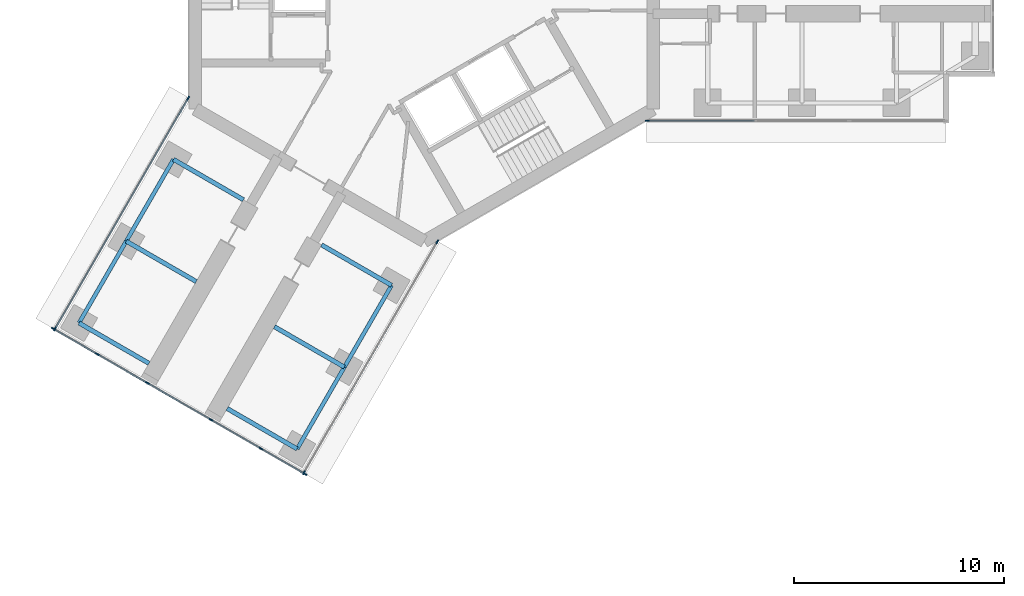
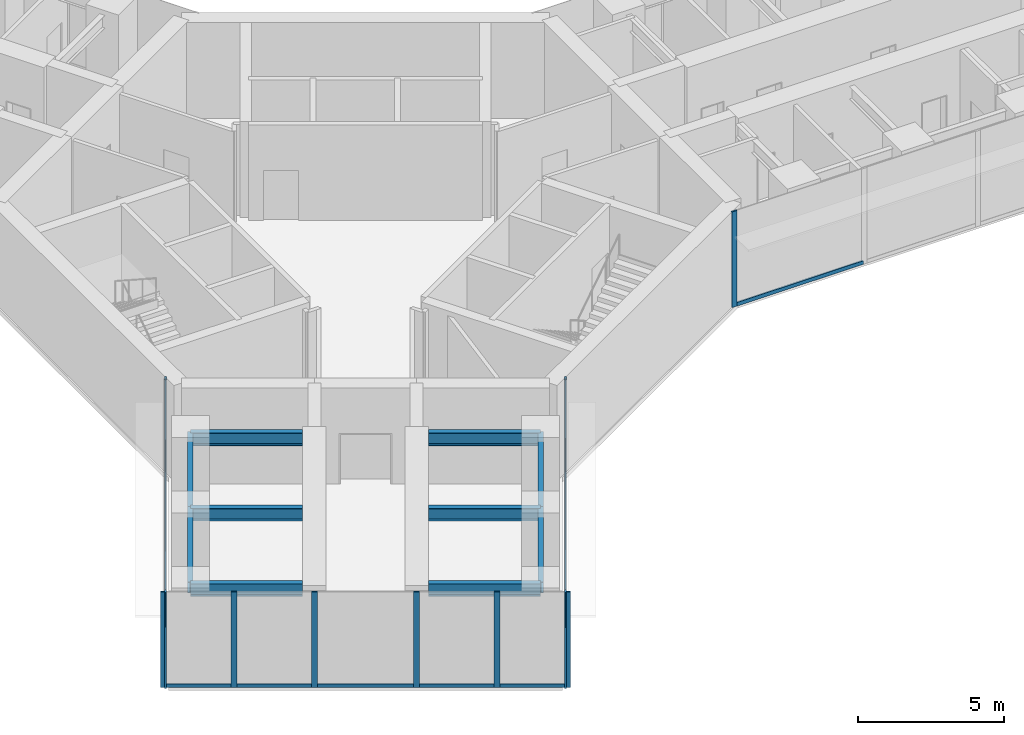
# One storey, part 2 of 22: 19 members, 10 beams, 4 elements without a shape of their own.
"""IFC4 building model written with IfcOpenShell, lengths in metres."""

import ifcopenshell
import ifcopenshell.guid

model = None  # the IFC model being written
_history = None  # IfcOwnerHistory: only IFC2X3 demands one
_inside = {}  # id of a spatial element -> (the spatial element, [elements in it])
_under = {}  # id of a project, library or spatial element -> (it, [spatial elements below it])
_declared = {}  # id of a project -> (the project, [libraries it declares])
_typed = {}  # id of a type object -> (the type object, [elements of that type])
_made_of = {}  # id of a material, layer set ... -> (it, [elements and type objects made of it])


def new_model(schema):
    """Start an empty IFC model of exactly this schema.

    Asked for "IFC4X3", IfcOpenShell would pick the latest addendum, in which some entities
    have other attributes; the version numbers below select the first issue.
    IFC2X3 requires an IfcOwnerHistory on every rooted entity: one is made here for all.
    """
    global model, _history
    if schema == "IFC4X3":
        model = ifcopenshell.file(schema_version=(4, 3, 0, 0))
    else:
        model = ifcopenshell.file(schema=schema)
    _inside.clear()
    _under.clear()
    _declared.clear()
    _typed.clear()
    _made_of.clear()
    _history = None
    if model.schema == "IFC2X3":
        org = make("IfcOrganization", Name="unknown")
        user = make(
            "IfcPersonAndOrganization",
            ThePerson=make("IfcPerson", FamilyName="unknown"),
            TheOrganization=org,
        )
        app = make(
            "IfcApplication",
            ApplicationDeveloper=org,
            Version="unknown",
            ApplicationFullName="unknown",
            ApplicationIdentifier="unknown",
        )
        _history = make(
            "IfcOwnerHistory",
            OwningUser=user,
            OwningApplication=app,
            ChangeAction="ADDED",
            CreationDate=0,
        )
    return model


def make(cls, **values):
    """One entity of the class cls with the attributes given. An attribute that is None is left unset."""
    return model.create_entity(
        cls, **{name: value for name, value in values.items() if value is not None}
    )


def rooted(cls, **values):
    """An entity with a GlobalId (a new one), such as an element, a storey or a relation."""
    return make(cls, GlobalId=ifcopenshell.guid.new(), OwnerHistory=_history, **values)


def si_unit(unit_type, name, prefix=None):
    """IfcSIUnit, for example si_unit("LENGTHUNIT", "METRE", prefix="MILLI")."""
    return make("IfcSIUnit", UnitType=unit_type, Prefix=prefix, Name=name)


def assignment(units):
    """IfcUnitAssignment: the units of a project."""
    return None if units is None else make("IfcUnitAssignment", Units=units)


def point(xyz):
    """IfcCartesianPoint."""
    return None if xyz is None else make("IfcCartesianPoint", Coordinates=xyz)


def direction(xyz):
    """IfcDirection."""
    return None if xyz is None else make("IfcDirection", DirectionRatios=xyz)


def frame(location, z_axis=None, x_axis=None):
    """IfcAxis2Placement3D, a coordinate frame: its origin and axes. An axis left out is left unset."""
    return make(
        "IfcAxis2Placement3D",
        Location=point(location),
        Axis=direction(z_axis),
        RefDirection=direction(x_axis),
    )


def frame_2d(location, x_axis=None):
    """IfcAxis2Placement2D, a coordinate frame in the plane: its origin and x axis."""
    return make(
        "IfcAxis2Placement2D", Location=point(location), RefDirection=direction(x_axis)
    )


def origin():
    """The frame at (0, 0, 0) with its axes left unset."""
    return frame((0.0, 0.0, 0.0))


def origin_2d():
    """The frame at (0, 0) in the plane with its x axis left unset."""
    return frame_2d((0.0, 0.0))


def place(relative_to, where):
    """IfcLocalPlacement: puts the frame where relative to a parent placement (None: the world)."""
    return make(
        "IfcLocalPlacement", PlacementRelTo=relative_to, RelativePlacement=where
    )


def context(
    kind, dimensions, precision=None, world=None, true_north=None, identifier=None
):
    """IfcGeometricRepresentationContext, for example the 3D "Model" context."""
    return make(
        "IfcGeometricRepresentationContext",
        ContextIdentifier=identifier,
        ContextType=kind,
        CoordinateSpaceDimension=dimensions,
        Precision=precision,
        WorldCoordinateSystem=world,
        TrueNorth=true_north,
    )


def subcontext(parent, identifier, kind, view, scale=None):
    """IfcGeometricRepresentationSubContext, for example "Body" below "Model"."""
    return make(
        "IfcGeometricRepresentationSubContext",
        ContextIdentifier=identifier,
        ContextType=kind,
        ParentContext=parent,
        TargetScale=scale,
        TargetView=view,
    )


def project(units=None, contexts=None):
    """IfcProject with its units and contexts."""
    return rooted(
        "IfcProject",
        Name="project",
        RepresentationContexts=contexts,
        UnitsInContext=assignment(units),
    )


def spatial(cls, under=None, at=None, **own):
    """A site, building, storey or space (cls), placed at a placement, below another one or the project."""
    s = rooted(cls, ObjectPlacement=at, **own)
    if under is not None:
        _under.setdefault(under.id(), (under, []))[1].append(s)
    return s


def profile(cls, at=None, kind="AREA", **sizes):
    """A parametric profile (cls). Its sizes go by their IFC names, for example OverallWidth=200.0."""
    return make(cls, ProfileType=kind, Position=at, **sizes)


def rectangle(**sizes):
    """IfcRectangleProfileDef."""
    return profile("IfcRectangleProfileDef", **sizes)


def i_section(**sizes):
    """IfcIShapeProfileDef."""
    return profile("IfcIShapeProfileDef", **sizes)


def extrude(swept, where, along, depth):
    """IfcExtrudedAreaSolid: the profile swept, set in the frame where, extruded along a direction by depth."""
    return make(
        "IfcExtrudedAreaSolid",
        SweptArea=swept,
        Position=where,
        ExtrudedDirection=direction(along),
        Depth=depth,
    )


def shape(context_of_items, identifier, shape_type, items):
    """IfcShapeRepresentation: the items that make up one representation, for example the "Body"."""
    return make(
        "IfcShapeRepresentation",
        ContextOfItems=context_of_items,
        RepresentationIdentifier=identifier,
        RepresentationType=shape_type,
        Items=items,
    )


def material(Name=None, Category=None):
    """IfcMaterial."""
    return make("IfcMaterial", Name=Name, Category=Category)


def material_profile(
    of_material, cross_section, Name=None, Category=None, Priority=None
):
    """IfcMaterialProfile: a cross section and its material."""
    return make(
        "IfcMaterialProfile",
        Name=Name,
        Material=of_material,
        Profile=cross_section,
        Priority=Priority,
        Category=Category,
    )


def profile_set(profiles, Name=None, composite=None):
    """IfcMaterialProfileSet."""
    return make(
        "IfcMaterialProfileSet",
        Name=Name,
        MaterialProfiles=profiles,
        CompositeProfile=composite,
    )


def made_of(thing, what):
    """Note that an element or type object is made of a material, layer set ...; save() writes the relation."""
    if what is not None:
        _made_of.setdefault(what.id(), (what, []))[1].append(thing)
    return thing


def type_object(cls, material=None, **own):
    """A type object (cls), such as IfcWallType, which elements share."""
    return made_of(rooted(cls, **own), material)


def element(
    cls,
    number,
    at=None,
    inside=None,
    cuts=None,
    type_object=None,
    material=None,
    context=None,
    identifier="Body",
    shape_type=None,
    held_by="IfcProductDefinitionShape",
    body=None,
    shapes=None,
    **own,
):
    """One element of the class cls, such as IfcWall. Its Tag is "e" and its number.

    at: its placement. inside: the storey or other place that contains it. cuts: it is an
    opening in that element (IfcRelVoidsElement). A single representation is given by context,
    identifier, shape_type and body (its items); several are given by shapes. held_by: the class
    of the entity that holds the representations. save() writes the other relations.
    """
    e = rooted(cls, Tag="e%d" % number, ObjectPlacement=at, **own)
    if body is not None:
        shapes = [shape(context, identifier, shape_type, body)]
    if shapes is not None:
        e.Representation = make(held_by, Representations=shapes)
    if inside is not None:
        _inside.setdefault(inside.id(), (inside, []))[1].append(e)
    if cuts is not None:
        rooted(
            "IfcRelVoidsElement", RelatingBuildingElement=cuts, RelatedOpeningElement=e
        )
    if type_object is not None:
        _typed.setdefault(type_object.id(), (type_object, []))[1].append(e)
    return made_of(e, material)


def aggregate(whole, parts):
    """IfcRelAggregates: a whole, such as a stair, and the parts it consists of."""
    return rooted("IfcRelAggregates", RelatingObject=whole, RelatedObjects=parts)


def save(model, path):
    """Write the relations noted so far, then the file.

    IfcRelAggregates (storeys below a building ...), IfcRelContainedInSpatialStructure (elements
    in a storey), IfcRelDefinesByType, IfcRelAssociatesMaterial and IfcRelDeclares: one each for
    every whole, place, type object, material and project.
    """
    for whole, parts in _under.values():
        aggregate(whole, parts)
    for where, things in _inside.values():
        rooted(
            "IfcRelContainedInSpatialStructure",
            RelatedElements=things,
            RelatingStructure=where,
        )
    for kind, things in _typed.values():
        rooted("IfcRelDefinesByType", RelatedObjects=things, RelatingType=kind)
    for what, things in _made_of.values():
        rooted("IfcRelAssociatesMaterial", RelatedObjects=things, RelatingMaterial=what)
    for by, libraries in _declared.values():
        rooted("IfcRelDeclares", RelatingContext=by, RelatedDefinitions=libraries)
    model.write(path)


model = new_model("IFC4")

# Units and contexts
model_context = context("Model", 3, precision=1e-05, world=origin(), true_north=direction((0.0, 1.0)))
body_context = subcontext(model_context, "Body", "Model", "MODEL_VIEW")
ifc_project = project(units=[si_unit("LENGTHUNIT", "METRE"), si_unit("AREAUNIT", "SQUARE_METRE"), si_unit("VOLUMEUNIT", "CUBIC_METRE"), si_unit("PLANEANGLEUNIT", "RADIAN"), si_unit("MASSUNIT", "GRAM", prefix="KILO")], contexts=[model_context])

# Site, building, storey
site_placement = place(None, origin())
site = spatial("IfcSite", under=ifc_project, at=site_placement, CompositionType="ELEMENT")
building_placement = place(site_placement, origin())
building = spatial("IfcBuilding", under=site, at=building_placement, Name="Upepo Twin Towers", CompositionType="ELEMENT")
storey_placement = place(building_placement, frame((0.0, 0.0, 121.5)))
storey = spatial("IfcBuildingStorey", under=building, at=storey_placement, Name="L29", CompositionType="ELEMENT", Elevation=121.5)

# Beams
ifc_material_1 = material(Name="Steel S355", Category="steel")
ifc_material_profile_1 = material_profile(ifc_material_1, i_section(OverallWidth=0.1904296875, OverallDepth=0.45703125, WebThickness=0.009033203125, FlangeThickness=0.014404296875, FilletRadius=0.01025390625, at=origin_2d()), Name="UB 457x191x74")
ifc_profile_set_1 = profile_set([ifc_material_profile_1], Name="Steel S355")
beam_type_1 = type_object("IfcBeamType", Name="Beam UB 457x191x74", PredefinedType="BEAM", material=ifc_profile_set_1)
beam_1_placement = place(storey_placement, frame((-1.553955078125, -14.69140625, 3.571533203125), z_axis=(-0.500013631625, -0.866017533419, 0.0), x_axis=(0.866017533419, -0.500013631625, 0.0)))
element("IfcBeam", 1, at=beam_1_placement, inside=storey, type_object=beam_type_1, Name="T1 edge beam CL 13.5-18.0", PredefinedType="BEAM", context=body_context, shape_type="SweptSolid", body=[
    extrude(i_section(OverallWidth=0.1904296875, OverallDepth=0.45703125, WebThickness=0.009033203125, FlangeThickness=0.014404296875, FilletRadius=0.01025390625, at=origin_2d()), origin(), (0.0, 0.0, 1.0), 4.499755859375),
])
beam_2_placement = place(storey_placement, frame((-3.803955078125, -18.58837890625, 3.571533203125), z_axis=(-0.499990139034, -0.866031096941, 0.0), x_axis=(0.866031096941, -0.499990139034, 0.0)))
element("IfcBeam", 2, at=beam_2_placement, inside=storey, type_object=beam_type_1, Name="T1 edge beam CL 18.0-22.5", PredefinedType="BEAM", context=body_context, shape_type="SweptSolid", body=[
    extrude(i_section(OverallWidth=0.1904296875, OverallDepth=0.45703125, WebThickness=0.009033203125, FlangeThickness=0.014404296875, FilletRadius=0.01025390625, at=origin_2d()), origin(), (0.0, 0.0, 1.0), 4.5),
])
beam_3_placement = place(storey_placement, frame((-11.946044921875, -8.69140625, 3.571533203125), z_axis=(-0.500013631625, -0.866017533419, 0.0), x_axis=(0.866017533419, -0.500013631625, 0.0)))
element("IfcBeam", 3, at=beam_3_placement, inside=storey, type_object=beam_type_1, Name="T1 edge beam CR 13.5-18.0", PredefinedType="BEAM", context=body_context, shape_type="SweptSolid", body=[
    extrude(i_section(OverallWidth=0.1904296875, OverallDepth=0.45703125, WebThickness=0.009033203125, FlangeThickness=0.014404296875, FilletRadius=0.01025390625, at=origin_2d()), origin(), (0.0, 0.0, 1.0), 4.499755859375),
])
beam_4_placement = place(storey_placement, frame((-14.196044921875, -12.58837890625, 3.571533203125), z_axis=(-0.499990139034, -0.866031096941, 0.0), x_axis=(0.866031096941, -0.499990139034, 0.0)))
element("IfcBeam", 4, at=beam_4_placement, inside=storey, type_object=beam_type_1, Name="T1 edge beam CR 18.0-22.5", PredefinedType="BEAM", context=body_context, shape_type="SweptSolid", body=[
    extrude(i_section(OverallWidth=0.1904296875, OverallDepth=0.45703125, WebThickness=0.009033203125, FlangeThickness=0.014404296875, FilletRadius=0.01025390625, at=origin_2d()), origin(), (0.0, 0.0, 1.0), 4.5),
])
ifc_material_2 = material(Name="Steel S355", Category="steel")
ifc_material_profile_2 = material_profile(ifc_material_2, i_section(OverallWidth=0.209228515625, OverallDepth=0.533203125, WebThickness=0.010009765625, FlangeThickness=0.015625, FilletRadius=0.0126953125, at=origin_2d()), Name="UB 533x210x92")
ifc_profile_set_2 = profile_set([ifc_material_profile_2], Name="Steel S355")
beam_type_2 = type_object("IfcBeamType", Name="Beam UB 533x210x92", PredefinedType="BEAM", material=ifc_profile_set_2)
beam_5_placement = place(storey_placement, frame((-1.553955078125, -14.69140625, 3.533447265625), z_axis=(-0.866006051527, 0.500033517596, 0.0), x_axis=(-0.500033517596, -0.866006051527, 0.0)))
element("IfcBeam", 5, at=beam_5_placement, inside=storey, type_object=beam_type_2, Name="T1 girder CL at 13.5", PredefinedType="BEAM", context=body_context, shape_type="SweptSolid", body=[
    extrude(i_section(OverallWidth=0.209228515625, OverallDepth=0.533203125, WebThickness=0.010009765625, FlangeThickness=0.015625, FilletRadius=0.0126953125, at=origin_2d()), origin(), (0.0, 0.0, 1.0), 3.849853515625),
])
beam_6_placement = place(storey_placement, frame((-3.803955078125, -18.58837890625, 3.533447265625), z_axis=(-0.866033512162, 0.499985955615, 0.0), x_axis=(-0.499985955615, -0.866033512162, 0.0)))
element("IfcBeam", 6, at=beam_6_placement, inside=storey, type_object=beam_type_2, Name="T1 girder CL at 18.0", PredefinedType="BEAM", context=body_context, shape_type="SweptSolid", body=[
    extrude(i_section(OverallWidth=0.209228515625, OverallDepth=0.533203125, WebThickness=0.010009765625, FlangeThickness=0.015625, FilletRadius=0.0126953125, at=origin_2d()), origin(), (0.0, 0.0, 1.0), 3.849609375),
])
for number, where, z_axis, x_axis, name in (
    (7, (-6.053955078125, -22.485595703125, 3.533447265625), (-0.866006051527, 0.500033517596, 0.0), (-0.500033517596, -0.866006051527, 0.0), "T1 girder CL at 22.5"),
    (8, (-11.946044921875, -8.69140625, 3.533447265625), (0.866006051527, -0.500033517596, 0.0), (0.500033517596, 0.866006051527, 0.0), "T1 girder CR at 13.5"),
    (9, (-14.196044921875, -12.58837890625, 3.533447265625), (0.866006051527, -0.500033517596, 0.0), (0.500033517596, 0.866006051527, 0.0), "T1 girder CR at 18.0"),
    (10, (-16.446044921875, -16.485595703125, 3.533447265625), (0.866006051527, -0.500033517596, 0.0), (0.500033517596, 0.866006051527, 0.0), "T1 girder CR at 22.5"),
):
    element("IfcBeam", number, at=place(storey_placement, frame(where, z_axis=z_axis, x_axis=x_axis)), inside=storey, type_object=beam_type_2, Name=name, PredefinedType="BEAM", context=body_context, shape_type="SweptSolid", body=[
        extrude(i_section(OverallWidth=0.209228515625, OverallDepth=0.533203125, WebThickness=0.010009765625, FlangeThickness=0.015625, FilletRadius=0.0126953125, at=origin_2d()), origin(), (0.0, 0.0, 1.0), 3.849853515625),
    ])

# Curtain wall, member
ifc_material_3 = material(Name="Aluminium and fritted glass", Category="aluminium")
curtain_wall_type = type_object("IfcCurtainWallType", Name="Tower curtain wall TW2, fritted glass", PredefinedType="NOTDEFINED", material=ifc_material_3)
curtain_wall_1_placement = place(storey_placement, origin())
curtain_wall_1 = element("IfcCurtainWall", 11, at=curtain_wall_1_placement, inside=storey, type_object=curtain_wall_type, Name="T1 L29 wing A flank R curtain wall", PredefinedType="NOTDEFINED")
ifc_material_4 = material(Name="Aluminium mullion", Category="aluminium")
ifc_material_profile_3 = material_profile(ifc_material_4, rectangle(XDim=0.06494140625, YDim=0.199951171875, at=origin_2d()), Name="MULLION 65x200")
ifc_profile_set_3 = profile_set([ifc_material_profile_3], Name="Aluminium mullion")
member_type_1 = type_object("IfcMemberType", Name="Mullion 65x200 TW2", PredefinedType="MULLION", material=ifc_profile_set_3)
member_1_placement = place(storey_placement, frame((10.61962890625, -6.85009765625, 0.0), z_axis=(0.0, 0.0, 1.0), x_axis=(0.0, -1.0, 0.0)))
member_1 = element("IfcMember", 12, at=member_1_placement, type_object=member_type_1, Name="T1 L29 wing A flank R curtain wall mullion 4", PredefinedType="MULLION", context=body_context, shape_type="SweptSolid", body=[
    extrude(rectangle(XDim=0.06494140625, YDim=0.199951171875, at=origin_2d()), origin(), (0.0, 0.0, 1.0), 4.0),
])

# Curtain wall, members
curtain_wall_2_placement = place(storey_placement, origin())
curtain_wall_2 = element("IfcCurtainWall", 13, at=curtain_wall_2_placement, inside=storey, type_object=curtain_wall_type, Name="T1 L29 wing C flank L curtain wall", PredefinedType="NOTDEFINED")
member_2_placement = place(storey_placement, frame((0.62255859375, -12.621826171875, 0.0), z_axis=(0.0, 0.0, 1.0), x_axis=(0.866025399212, -0.50000000792, 0.0)))
member_2 = element("IfcMember", 14, at=member_2_placement, type_object=member_type_1, Name="T1 L29 wing C flank L curtain wall mullion 1", PredefinedType="MULLION", context=body_context, shape_type="SweptSolid", body=[
    extrude(rectangle(XDim=0.06494140625, YDim=0.199951171875, at=origin_2d()), origin(), (0.0, 0.0, 1.0), 4.0),
])
member_3_placement = place(storey_placement, frame((-5.7265625, -23.61865234375, 0.0), z_axis=(0.0, 0.0, 1.0), x_axis=(0.866025399212, -0.50000000792, 0.0)))
member_3 = element("IfcMember", 15, at=member_3_placement, type_object=member_type_1, Name="T1 L29 wing C flank L curtain wall mullion 2", PredefinedType="MULLION", context=body_context, shape_type="SweptSolid", body=[
    extrude(rectangle(XDim=0.06494140625, YDim=0.199951171875, at=origin_2d()), origin(), (0.0, 0.0, 1.0), 4.0),
])

curtain_wall_3_placement = place(storey_placement, origin())
curtain_wall_3 = element("IfcCurtainWall", 16, at=curtain_wall_3_placement, inside=storey, type_object=curtain_wall_type, Name="T1 L29 wing C flank R curtain wall", PredefinedType="NOTDEFINED")
member_4_placement = place(storey_placement, frame((-17.591064453125, -16.7685546875, 0.0), z_axis=(0.0, 0.0, 1.0), x_axis=(-0.866025399212, 0.50000000792, 0.0)))
member_4 = element("IfcMember", 17, at=member_4_placement, type_object=member_type_1, Name="T1 L29 wing C flank R curtain wall mullion 1", PredefinedType="MULLION", context=body_context, shape_type="SweptSolid", body=[
    extrude(rectangle(XDim=0.06494140625, YDim=0.199951171875, at=origin_2d()), origin(), (0.0, 0.0, 1.0), 4.0),
])
member_5_placement = place(storey_placement, frame((-11.2421875, -5.77197265625, 0.0), z_axis=(0.0, 0.0, 1.0), x_axis=(-0.866025399212, 0.50000000792, 0.0)))
member_5 = element("IfcMember", 18, at=member_5_placement, type_object=member_type_1, Name="T1 L29 wing C flank R curtain wall mullion 2", PredefinedType="MULLION", context=body_context, shape_type="SweptSolid", body=[
    extrude(rectangle(XDim=0.06494140625, YDim=0.199951171875, at=origin_2d()), origin(), (0.0, 0.0, 1.0), 4.0),
])

curtain_wall_4_placement = place(storey_placement, origin())
curtain_wall_4 = element("IfcCurtainWall", 19, at=curtain_wall_4_placement, inside=storey, type_object=curtain_wall_type, Name="T1 L29 wing C nose curtain wall", PredefinedType="NOTDEFINED")
member_6_placement = place(storey_placement, frame((-17.665771484375, -16.762939453125, 0.0), z_axis=(0.0, 0.0, 1.0), x_axis=(0.499999972355, 0.866025419745, 0.0)))
member_6 = element("IfcMember", 20, at=member_6_placement, type_object=member_type_1, Name="T1 L29 wing C nose curtain wall mullion 1", PredefinedType="MULLION", context=body_context, shape_type="SweptSolid", body=[
    extrude(rectangle(XDim=0.06494140625, YDim=0.199951171875, at=origin_2d()), origin(), (0.0, 0.0, 1.0), 4.0),
])
member_7_placement = place(storey_placement, frame((-15.572021484375, -17.9716796875, 0.0), z_axis=(0.0, 0.0, 1.0), x_axis=(0.499999972355, 0.866025419745, 0.0)))
member_7 = element("IfcMember", 21, at=member_7_placement, type_object=member_type_1, Name="T1 L29 wing C nose curtain wall mullion 2", PredefinedType="MULLION", context=body_context, shape_type="SweptSolid", body=[
    extrude(rectangle(XDim=0.06494140625, YDim=0.199951171875, at=origin_2d()), origin(), (0.0, 0.0, 1.0), 4.0),
])
member_8_placement = place(storey_placement, frame((-13.1904296875, -19.3466796875, 0.0), z_axis=(0.0, 0.0, 1.0), x_axis=(0.499999972355, 0.866025419745, 0.0)))
member_8 = element("IfcMember", 22, at=member_8_placement, type_object=member_type_1, Name="T1 L29 wing C nose curtain wall mullion 3", PredefinedType="MULLION", context=body_context, shape_type="SweptSolid", body=[
    extrude(rectangle(XDim=0.06494140625, YDim=0.199951171875, at=origin_2d()), origin(), (0.0, 0.0, 1.0), 4.0),
])
member_9_placement = place(storey_placement, frame((-10.159423828125, -21.0966796875, 0.0), z_axis=(0.0, 0.0, 1.0), x_axis=(0.499999972355, 0.866025419745, 0.0)))
member_9 = element("IfcMember", 23, at=member_9_placement, type_object=member_type_1, Name="T1 L29 wing C nose curtain wall mullion 4", PredefinedType="MULLION", context=body_context, shape_type="SweptSolid", body=[
    extrude(rectangle(XDim=0.06494140625, YDim=0.199951171875, at=origin_2d()), origin(), (0.0, 0.0, 1.0), 4.0),
])
member_10_placement = place(storey_placement, frame((-7.77783203125, -22.4716796875, 0.0), z_axis=(0.0, 0.0, 1.0), x_axis=(0.499999972355, 0.866025419745, 0.0)))
member_10 = element("IfcMember", 24, at=member_10_placement, type_object=member_type_1, Name="T1 L29 wing C nose curtain wall mullion 5", PredefinedType="MULLION", context=body_context, shape_type="SweptSolid", body=[
    extrude(rectangle(XDim=0.06494140625, YDim=0.199951171875, at=origin_2d()), origin(), (0.0, 0.0, 1.0), 4.0),
])
member_11_placement = place(storey_placement, frame((-5.684326171875, -23.680419921875, 0.0), z_axis=(0.0, 0.0, 1.0), x_axis=(0.499999972355, 0.866025419745, 0.0)))
member_11 = element("IfcMember", 25, at=member_11_placement, type_object=member_type_1, Name="T1 L29 wing C nose curtain wall mullion 6", PredefinedType="MULLION", context=body_context, shape_type="SweptSolid", body=[
    extrude(rectangle(XDim=0.06494140625, YDim=0.199951171875, at=origin_2d()), origin(), (0.0, 0.0, 1.0), 4.0),
])

# Member
ifc_material_5 = material(Name="Aluminium transom", Category="aluminium")
ifc_material_profile_4 = material_profile(ifc_material_5, rectangle(XDim=0.06494140625, YDim=0.14990234375, at=origin_2d()), Name="TRANSOM 65x150")
ifc_profile_set_4 = profile_set([ifc_material_profile_4], Name="Aluminium transom")
member_type_2 = type_object("IfcMemberType", Name="Transom 65x150 TW2", PredefinedType="USERDEFINED", material=ifc_profile_set_4)
member_12_placement = place(storey_placement, frame((15.717529296875, -6.85009765625, 0.074951171875), z_axis=(-1.0, 0.0, 0.0), x_axis=(0.0, -1.0, 0.0)))
member_12 = element("IfcMember", 26, at=member_12_placement, type_object=member_type_2, Name="T1 L29 wing A flank R curtain wall transom 3", ObjectType="TRANSOM", PredefinedType="USERDEFINED", context=body_context, shape_type="SweptSolid", body=[
    extrude(rectangle(XDim=0.06494140625, YDim=0.14990234375, at=origin_2d()), origin(), (0.0, 0.0, 1.0), 5.0654296875),
])

aggregate(curtain_wall_1, [member_1, member_12])

member_13_placement = place(storey_placement, frame((0.606201171875, -12.64990234375, 0.074951171875), z_axis=(-0.499996807431, -0.866027247007, 0.0), x_axis=(0.866027247007, -0.499996807431, 0.0)))
member_13 = element("IfcMember", 27, at=member_13_placement, type_object=member_type_2, Name="T1 L29 wing C flank L curtain wall transom 1", ObjectType="TRANSOM", PredefinedType="USERDEFINED", context=body_context, shape_type="SweptSolid", body=[
    extrude(rectangle(XDim=0.06494140625, YDim=0.14990234375, at=origin_2d()), origin(), (0.0, 0.0, 1.0), 12.6328125),
])

aggregate(curtain_wall_2, [member_2, member_3, member_13])

member_14_placement = place(storey_placement, frame((-17.57470703125, -16.740478515625, 0.074951171875), z_axis=(0.499996807431, 0.866027247007, 0.0), x_axis=(-0.866027247007, 0.499996807431, 0.0)))
member_14 = element("IfcMember", 28, at=member_14_placement, type_object=member_type_2, Name="T1 L29 wing C flank R curtain wall transom 1", ObjectType="TRANSOM", PredefinedType="USERDEFINED", context=body_context, shape_type="SweptSolid", body=[
    extrude(rectangle(XDim=0.06494140625, YDim=0.14990234375, at=origin_2d()), origin(), (0.0, 0.0, 1.0), 12.6328125),
])

aggregate(curtain_wall_3, [member_4, member_5, member_14])

member_15_placement = place(storey_placement, frame((-17.6376953125, -16.779296875, 0.074951171875), z_axis=(0.866069800327, -0.499923095048, 0.0), x_axis=(0.499923095048, 0.866069800327, 0.0)))
member_15 = element("IfcMember", 29, at=member_15_placement, type_object=member_type_2, Name="T1 L29 wing C nose curtain wall transom 1", ObjectType="TRANSOM", PredefinedType="USERDEFINED", context=body_context, shape_type="SweptSolid", body=[
    extrude(rectangle(XDim=0.06494140625, YDim=0.14990234375, at=origin_2d()), origin(), (0.0, 0.0, 1.0), 2.352294921875),
])

member_16_placement = place(storey_placement, frame((-15.5439453125, -17.988037109375, 0.074951171875), z_axis=(0.8660523339, -0.49995335277, 0.0), x_axis=(0.49995335277, 0.8660523339, 0.0)))
member_16 = element("IfcMember", 30, at=member_16_placement, type_object=member_type_2, Name="T1 L29 wing C nose curtain wall transom 2", ObjectType="TRANSOM", PredefinedType="USERDEFINED", context=body_context, shape_type="SweptSolid", body=[
    extrude(rectangle(XDim=0.06494140625, YDim=0.14990234375, at=origin_2d()), origin(), (0.0, 0.0, 1.0), 2.684814453125),
])

member_17_placement = place(storey_placement, frame((-13.162353515625, -19.363037109375, 0.074951171875), z_axis=(0.866056579774, -0.499945997713, 0.0), x_axis=(0.499945997713, 0.866056579774, 0.0)))
member_17 = element("IfcMember", 31, at=member_17_placement, type_object=member_type_2, Name="T1 L29 wing C nose curtain wall transom 3", ObjectType="TRANSOM", PredefinedType="USERDEFINED", context=body_context, shape_type="SweptSolid", body=[
    extrude(rectangle(XDim=0.06494140625, YDim=0.14990234375, at=origin_2d()), origin(), (0.0, 0.0, 1.0), 3.43505859375),
])

member_18_placement = place(storey_placement, frame((-10.13134765625, -21.113037109375, 0.074951171875), z_axis=(0.8660523339, -0.49995335277, 0.0), x_axis=(0.49995335277, 0.8660523339, 0.0)))
member_18 = element("IfcMember", 32, at=member_18_placement, type_object=member_type_2, Name="T1 L29 wing C nose curtain wall transom 4", ObjectType="TRANSOM", PredefinedType="USERDEFINED", context=body_context, shape_type="SweptSolid", body=[
    extrude(rectangle(XDim=0.06494140625, YDim=0.14990234375, at=origin_2d()), origin(), (0.0, 0.0, 1.0), 2.684814453125),
])

member_19_placement = place(storey_placement, frame((-7.749755859375, -22.488037109375, 0.074951171875), z_axis=(0.866024864377, -0.50000093428, 0.0), x_axis=(0.50000093428, 0.866024864377, 0.0)))
member_19 = element("IfcMember", 33, at=member_19_placement, type_object=member_type_2, Name="T1 L29 wing C nose curtain wall transom 5", ObjectType="TRANSOM", PredefinedType="USERDEFINED", context=body_context, shape_type="SweptSolid", body=[
    extrude(rectangle(XDim=0.06494140625, YDim=0.14990234375, at=origin_2d()), origin(), (0.0, 0.0, 1.0), 2.3525390625),
])

aggregate(curtain_wall_4, [member_6, member_7, member_8, member_9, member_10, member_11, member_15, member_16, member_17, member_18, member_19])

save(model, "model.ifc")
